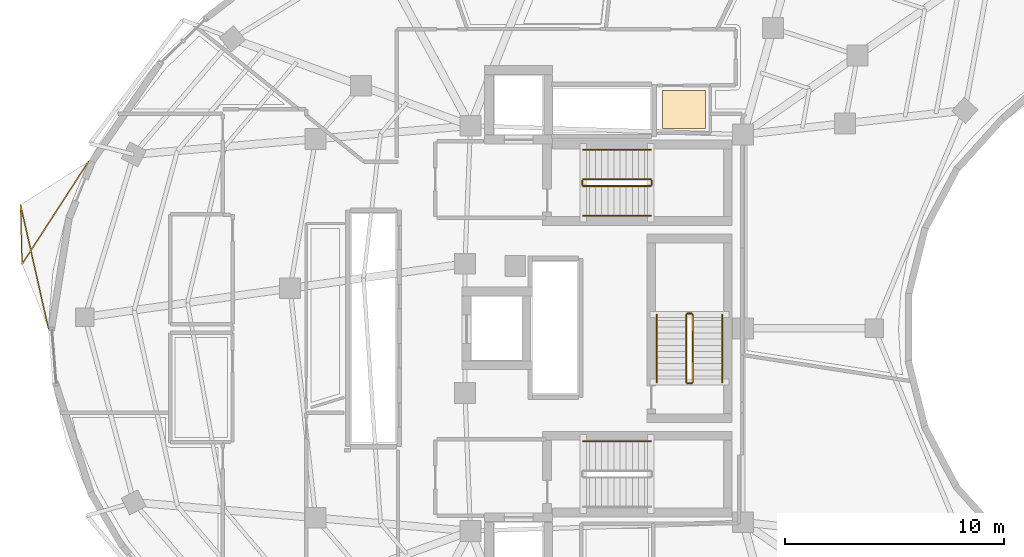
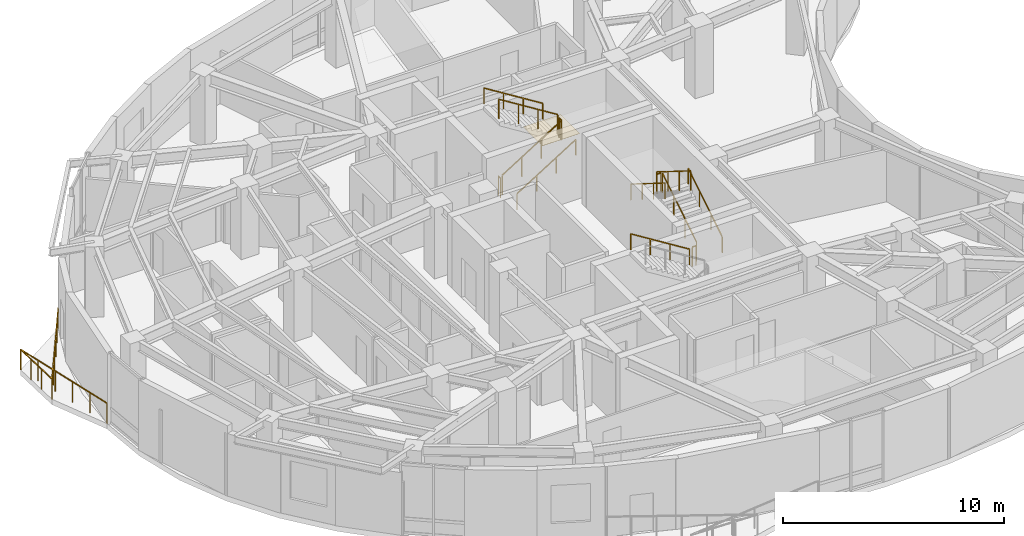
# One storey, part 13 of 14: 14 railings, 1 covering.
"""IFC4 building model written with IfcOpenShell, lengths in metres."""

from ifc_helpers import new_model, si_unit, direction, frame, origin, origin_2d, place, context, subcontext, project, spatial, polyline, rectangle, outline, extrude, material, layer, layer_set, type_object, element, save


model = new_model("IFC4")

# Units and contexts
model_context = context("Model", 3, precision=1e-05, world=origin(), true_north=direction((0.0, 1.0)))
body_context = subcontext(model_context, "Body", "Model", "MODEL_VIEW")
ifc_project = project(units=[si_unit("LENGTHUNIT", "METRE"), si_unit("AREAUNIT", "SQUARE_METRE"), si_unit("VOLUMEUNIT", "CUBIC_METRE"), si_unit("PLANEANGLEUNIT", "RADIAN"), si_unit("MASSUNIT", "GRAM", prefix="KILO")], contexts=[model_context])

# Site, building, storey
site_placement = place(None, origin())
site = spatial("IfcSite", under=ifc_project, at=site_placement, CompositionType="ELEMENT")
building_placement = place(site_placement, origin())
building = spatial("IfcBuilding", under=site, at=building_placement, Name="Korentha Bioscience Tower", CompositionType="ELEMENT")
storey_placement = place(building_placement, frame((0.0, 0.0, 247.800048828125)))
storey = spatial("IfcBuildingStorey", under=building, at=storey_placement, Name="L57", CompositionType="ELEMENT", Elevation=247.800048828125)

# Covering
ifc_material_1 = material(Name="Vitrified Porcelain Tile", Category="ceramic")
ifc_layer = layer(ifc_material_1, 0.014892578125, Name="Vitrified Porcelain Tile")
ifc_layer_set = layer_set([ifc_layer], Name="Vitrified Porcelain Tile (FL-CER)")
covering_type = type_object("IfcCoveringType", Name="Anti-Slip Ceramic Wet-Room Tile Flooring 15", PredefinedType="FLOORING", material=ifc_layer_set)
covering_placement = place(storey_placement, origin())
element("IfcCovering", 1, at=covering_placement, inside=storey, type_object=covering_type, Name="L57 Accessible Staff WC Floor Finish", PredefinedType="FLOORING", context=body_context, shape_type="SweptSolid", body=[
    extrude(outline(polyline([(33.8701171875, 36.1298828125), (33.8701171875, 37.8701171875), (35.830078125, 37.8701171875), (35.830078125, 36.1298828125), (33.8701171875, 36.1298828125)])), origin(), (0.0, 0.0, 1.0), 0.014892578125),
])

# Railings
ifc_material_2 = material(Name="Stainless Steel 304", Category="steel")
railing_type_1 = type_object("IfcRailingType", Name="Brushed Stainless Stair Handrail 900", PredefinedType="HANDRAIL", material=ifc_material_2)
railing_1_placement = place(storey_placement, frame((30.25, 32.14990234375, 0.175048828125)))
element("IfcRailing", 2, at=railing_1_placement, inside=storey, type_object=railing_type_1, Name="L57 ST-1 stair handrail 1", PredefinedType="HANDRAIL", context=body_context, shape_type="SweptSolid", body=[
    extrude(rectangle(XDim=0.048095703125, YDim=0.048095703125, at=origin_2d()), frame((0.0, 0.0, 0.8759765625), z_axis=(0.848028513186, 0.0, 0.529950602248), x_axis=(0.0, 1.0, 0.0)), (0.0, 0.0, 1.0), 3.632080078125),
    extrude(rectangle(XDim=0.0419921875, YDim=0.0419921875, at=origin_2d()), origin(), (0.0, 0.0, 1.0), 0.851806640625),
    extrude(rectangle(XDim=0.0419921875, YDim=0.0419921875, at=origin_2d()), frame((1.026611328125, 0.0, 0.6416015625)), (0.0, 0.0, 1.0), 0.851806640625),
    extrude(rectangle(XDim=0.0419921875, YDim=0.0419921875, at=origin_2d()), frame((2.053466796875, 0.0, 1.283203125)), (0.0, 0.0, 1.0), 0.851806640625),
    extrude(rectangle(XDim=0.0419921875, YDim=0.0419921875, at=origin_2d()), frame((3.080078125, 0.0, 1.9248046875)), (0.0, 0.0, 1.0), 0.851806640625),
])
for number, where, name in (
    (3, (33.330078125, 35.14990234375, 2.27490234375), "L57 ST-1 stair handrail 2"),
    (4, (33.330078125, 21.85009765625, 2.27490234375), "L57 ST-2 stair handrail 2"),
):
    element("IfcRailing", number, at=place(storey_placement, frame(where)), inside=storey, type_object=railing_type_1, Name=name, PredefinedType="HANDRAIL", context=body_context, shape_type="SweptSolid", body=[
        extrude(rectangle(XDim=0.048095703125, YDim=0.048095703125, at=origin_2d()), frame((0.0, 0.0, 0.8759765625), z_axis=(-0.847998304005, 0.0, 0.529998940003), x_axis=(0.0, -1.0, 0.0)), (0.0, 0.0, 1.0), 3.632080078125),
        extrude(rectangle(XDim=0.0419921875, YDim=0.0419921875, at=origin_2d()), origin(), (0.0, 0.0, 1.0), 0.851806640625),
        extrude(rectangle(XDim=0.0419921875, YDim=0.0419921875, at=origin_2d()), frame((-1.026611328125, 0.0, 0.6416015625)), (0.0, 0.0, 1.0), 0.851806640625),
        extrude(rectangle(XDim=0.0419921875, YDim=0.0419921875, at=origin_2d()), frame((-2.053466796875, 0.0, 1.283447265625)), (0.0, 0.0, 1.0), 0.851806640625),
        extrude(rectangle(XDim=0.0419921875, YDim=0.0419921875, at=origin_2d()), frame((-3.080078125, 0.0, 1.925048828125)), (0.0, 0.0, 1.0), 0.851806640625),
    ])
railing_2_placement = place(storey_placement, frame((36.60009765625, 24.550048828125, 0.175048828125)))
element("IfcRailing", 5, at=railing_2_placement, inside=storey, type_object=railing_type_1, Name="L57 ST-3 stair handrail 1", PredefinedType="HANDRAIL", context=body_context, shape_type="SweptSolid", body=[
    extrude(rectangle(XDim=0.048095703125, YDim=0.048095703125, at=origin_2d()), frame((0.0, 0.0, 0.8759765625), z_axis=(0.0, 0.848009633417, 0.529980812513), x_axis=(-1.0, 0.0, 0.0)), (0.0, 0.0, 1.0), 3.6318359375),
    extrude(rectangle(XDim=0.0419921875, YDim=0.0419921875, at=origin_2d()), origin(), (0.0, 0.0, 1.0), 0.851806640625),
    extrude(rectangle(XDim=0.0419921875, YDim=0.0419921875, at=origin_2d()), frame((0.0, 1.026611328125, 0.6416015625)), (0.0, 0.0, 1.0), 0.851806640625),
    extrude(rectangle(XDim=0.0419921875, YDim=0.0419921875, at=origin_2d()), frame((0.0, 2.05322265625, 1.283203125)), (0.0, 0.0, 1.0), 0.851806640625),
    extrude(rectangle(XDim=0.0419921875, YDim=0.0419921875, at=origin_2d()), frame((0.0, 3.079833984375, 1.9248046875)), (0.0, 0.0, 1.0), 0.851806640625),
])
railing_3_placement = place(storey_placement, frame((33.60009765625, 27.6298828125, 2.27490234375)))
element("IfcRailing", 6, at=railing_3_placement, inside=storey, type_object=railing_type_1, Name="L57 ST-3 stair handrail 2", PredefinedType="HANDRAIL", context=body_context, shape_type="SweptSolid", body=[
    extrude(rectangle(XDim=0.048095703125, YDim=0.048095703125, at=origin_2d()), frame((0.0, 0.0, 0.8759765625), z_axis=(0.0, -0.847979421464, 0.530029150871), x_axis=(1.0, 0.0, 0.0)), (0.0, 0.0, 1.0), 3.632080078125),
    extrude(rectangle(XDim=0.0419921875, YDim=0.0419921875, at=origin_2d()), origin(), (0.0, 0.0, 1.0), 0.851806640625),
    extrude(rectangle(XDim=0.0419921875, YDim=0.0419921875, at=origin_2d()), frame((0.0, -1.026611328125, 0.6416015625)), (0.0, 0.0, 1.0), 0.851806640625),
    extrude(rectangle(XDim=0.0419921875, YDim=0.0419921875, at=origin_2d()), frame((0.0, -2.05322265625, 1.283447265625)), (0.0, 0.0, 1.0), 0.851806640625),
    extrude(rectangle(XDim=0.0419921875, YDim=0.0419921875, at=origin_2d()), frame((0.0, -3.079833984375, 1.925048828125)), (0.0, 0.0, 1.0), 0.851806640625),
])
ifc_material_3 = material(Name="Laminated Tempered Safety Glass", Category="glass")
railing_type_2 = type_object("IfcRailingType", Name="Laminated Glass Balcony Guardrail 1150", PredefinedType="BALUSTRADE", material=ifc_material_3)
railing_4_placement = place(storey_placement, frame((7.66455078125, 34.62109375, 0.0)))
element("IfcRailing", 7, at=railing_4_placement, inside=storey, type_object=railing_type_2, Name="L57 Balcony Guardrail 02", PredefinedType="BALUSTRADE", context=body_context, shape_type="SweptSolid", body=[
    extrude(rectangle(XDim=0.048095703125, YDim=0.048095703125, at=origin_2d()), frame((0.0, 0.0, 1.1259765625), z_axis=(-0.543225919162, -0.83958656537, 0.0), x_axis=(0.83958656537, -0.543225919162, 0.0)), (0.0, 0.0, 1.0), 5.588623046875),
    extrude(rectangle(XDim=0.048095703125, YDim=0.048095703125, at=origin_2d()), frame((-3.035888671875, -4.692138671875, 1.1259765625), z_axis=(-0.024799129731, 0.99969245429, 0.0), x_axis=(-0.99969245429, -0.024799129731, 0.0)), (0.0, 0.0, 1.0), 2.717041015625),
    extrude(rectangle(XDim=0.048095703125, YDim=0.048095703125, at=origin_2d()), frame((-3.103271484375, -1.975830078125, 1.1259765625), z_axis=(0.219766179251, -0.975552574932, 0.0), x_axis=(0.975552574932, 0.219766179251, 0.0)), (0.0, 0.0, 1.0), 5.78662109375),
    extrude(rectangle(XDim=0.0419921875, YDim=0.0419921875, at=origin_2d()), origin(), (0.0, 0.0, 1.0), 1.101806640625),
    extrude(rectangle(XDim=0.0419921875, YDim=0.0419921875, at=origin_2d()), frame((-0.607177734375, -0.9384765625, 0.0)), (0.0, 0.0, 1.0), 1.101806640625),
    extrude(rectangle(XDim=0.0419921875, YDim=0.0419921875, at=origin_2d()), frame((-1.21435546875, -1.876953125, 0.0)), (0.0, 0.0, 1.0), 1.101806640625),
    extrude(rectangle(XDim=0.0419921875, YDim=0.0419921875, at=origin_2d()), frame((-1.821533203125, -2.815185546875, 0.0)), (0.0, 0.0, 1.0), 1.101806640625),
    extrude(rectangle(XDim=0.0419921875, YDim=0.0419921875, at=origin_2d()), frame((-2.4287109375, -3.753662109375, 0.0)), (0.0, 0.0, 1.0), 1.101806640625),
    extrude(rectangle(XDim=0.0419921875, YDim=0.0419921875, at=origin_2d()), frame((-3.035888671875, -4.692138671875, 0.0)), (0.0, 0.0, 1.0), 1.101806640625),
    extrude(rectangle(XDim=0.0419921875, YDim=0.0419921875, at=origin_2d()), frame((-3.058349609375, -3.78662109375, 0.0)), (0.0, 0.0, 1.0), 1.101806640625),
    extrude(rectangle(XDim=0.0419921875, YDim=0.0419921875, at=origin_2d()), frame((-3.080810546875, -2.88134765625, 0.0)), (0.0, 0.0, 1.0), 1.101806640625),
    extrude(rectangle(XDim=0.0419921875, YDim=0.0419921875, at=origin_2d()), frame((-3.103271484375, -1.975830078125, 0.0)), (0.0, 0.0, 1.0), 1.101806640625),
    extrude(rectangle(XDim=0.0419921875, YDim=0.0419921875, at=origin_2d()), frame((-2.848876953125, -3.10498046875, 0.0)), (0.0, 0.0, 1.0), 1.101806640625),
    extrude(rectangle(XDim=0.0419921875, YDim=0.0419921875, at=origin_2d()), frame((-2.594482421875, -4.23388671875, 0.0)), (0.0, 0.0, 1.0), 1.101806640625),
    extrude(rectangle(XDim=0.0419921875, YDim=0.0419921875, at=origin_2d()), frame((-2.34033203125, -5.363037109375, 0.0)), (0.0, 0.0, 1.0), 1.101806640625),
    extrude(rectangle(XDim=0.0419921875, YDim=0.0419921875, at=origin_2d()), frame((-2.0859375, -6.491943359375, 0.0)), (0.0, 0.0, 1.0), 1.101806640625),
    extrude(rectangle(XDim=0.0419921875, YDim=0.0419921875, at=origin_2d()), frame((-1.83154296875, -7.62109375, 0.0)), (0.0, 0.0, 1.0), 1.101806640625),
])
ifc_material_4 = material(Name="Painted Steel S275", Category="steel")
railing_type_3 = type_object("IfcRailingType", Name="Painted Steel Stair Well Guardrail 1100", PredefinedType="GUARDRAIL", material=ifc_material_4)
railing_5_placement = place(storey_placement, frame((30.25, 33.5, 0.175048828125)))
element("IfcRailing", 8, at=railing_5_placement, inside=storey, type_object=railing_type_3, Name="L57 ST-1 stair guard 1", PredefinedType="GUARDRAIL", context=body_context, shape_type="SweptSolid", body=[
    extrude(rectangle(XDim=0.048095703125, YDim=0.048095703125, at=origin_2d()), frame((0.0, 0.0, 1.076171875), z_axis=(0.848028513186, 0.0, 0.529950602248), x_axis=(0.0, 1.0, 0.0)), (0.0, 0.0, 1.0), 3.632080078125),
    extrude(rectangle(XDim=0.0419921875, YDim=0.0419921875, at=origin_2d()), origin(), (0.0, 0.0, 1.0), 1.052001953125),
    extrude(rectangle(XDim=0.0419921875, YDim=0.0419921875, at=origin_2d()), frame((1.026611328125, 0.0, 0.6416015625)), (0.0, 0.0, 1.0), 1.052001953125),
    extrude(rectangle(XDim=0.0419921875, YDim=0.0419921875, at=origin_2d()), frame((2.053466796875, 0.0, 1.283203125)), (0.0, 0.0, 1.0), 1.052001953125),
    extrude(rectangle(XDim=0.0419921875, YDim=0.0419921875, at=origin_2d()), frame((3.080078125, 0.0, 1.9248046875)), (0.0, 0.0, 1.0), 1.052001953125),
])
railing_6_placement = place(storey_placement, frame((33.3798828125, 33.550048828125, 2.099853515625)))
element("IfcRailing", 9, at=railing_6_placement, inside=storey, type_object=railing_type_3, Name="L57 ST-1 stair guard 2", PredefinedType="GUARDRAIL", context=body_context, shape_type="SweptSolid", body=[
    extrude(rectangle(XDim=0.048095703125, YDim=0.048095703125, at=origin_2d()), frame((0.0, 0.0, 1.076171875), z_axis=(0.0, 1.0, 0.0), x_axis=(-1.0, 0.0, 0.0)), (0.0, 0.0, 1.0), 0.199951171875),
    extrude(rectangle(XDim=0.0419921875, YDim=0.0419921875, at=origin_2d()), origin(), (0.0, 0.0, 1.0), 1.052001953125),
    extrude(rectangle(XDim=0.0419921875, YDim=0.0419921875, at=origin_2d()), frame((0.0, 0.199951171875, 0.0)), (0.0, 0.0, 1.0), 1.052001953125),
])
railing_7_placement = place(storey_placement, frame((33.330078125, 33.800048828125, 2.27490234375)))
element("IfcRailing", 10, at=railing_7_placement, inside=storey, type_object=railing_type_3, Name="L57 ST-1 stair guard 3", PredefinedType="GUARDRAIL", context=body_context, shape_type="SweptSolid", body=[
    extrude(rectangle(XDim=0.048095703125, YDim=0.048095703125, at=origin_2d()), frame((0.0, 0.0, 1.076171875), z_axis=(-0.847998304005, 0.0, 0.529998940003), x_axis=(0.0, -1.0, 0.0)), (0.0, 0.0, 1.0), 3.632080078125),
    extrude(rectangle(XDim=0.0419921875, YDim=0.0419921875, at=origin_2d()), origin(), (0.0, 0.0, 1.0), 1.052001953125),
    extrude(rectangle(XDim=0.0419921875, YDim=0.0419921875, at=origin_2d()), frame((-1.026611328125, 0.0, 0.6416015625)), (0.0, 0.0, 1.0), 1.052001953125),
    extrude(rectangle(XDim=0.0419921875, YDim=0.0419921875, at=origin_2d()), frame((-2.053466796875, 0.0, 1.283447265625)), (0.0, 0.0, 1.0), 1.052001953125),
    extrude(rectangle(XDim=0.0419921875, YDim=0.0419921875, at=origin_2d()), frame((-3.080078125, 0.0, 1.925048828125)), (0.0, 0.0, 1.0), 1.052001953125),
])
railing_8_placement = place(storey_placement, frame((30.199951171875, 33.550048828125, 0.0)))
element("IfcRailing", 11, at=railing_8_placement, inside=storey, type_object=railing_type_3, Name="L57 ST-1 stair guard 4", PredefinedType="GUARDRAIL", context=body_context, shape_type="SweptSolid", body=[
    extrude(rectangle(XDim=0.048095703125, YDim=0.048095703125, at=origin_2d()), frame((0.0, 0.0, 1.076171875), z_axis=(0.0, 1.0, 0.0), x_axis=(-1.0, 0.0, 0.0)), (0.0, 0.0, 1.0), 0.199951171875),
    extrude(rectangle(XDim=0.0419921875, YDim=0.0419921875, at=origin_2d()), origin(), (0.0, 0.0, 1.0), 1.052001953125),
    extrude(rectangle(XDim=0.0419921875, YDim=0.0419921875, at=origin_2d()), frame((0.0, 0.199951171875, 0.0)), (0.0, 0.0, 1.0), 1.052001953125),
])
railing_9_placement = place(storey_placement, frame((35.25, 24.550048828125, 0.175048828125)))
element("IfcRailing", 12, at=railing_9_placement, inside=storey, type_object=railing_type_3, Name="L57 ST-3 stair guard 1", PredefinedType="GUARDRAIL", context=body_context, shape_type="SweptSolid", body=[
    extrude(rectangle(XDim=0.048095703125, YDim=0.048095703125, at=origin_2d()), frame((0.0, 0.0, 1.076171875), z_axis=(0.0, 0.848009633417, 0.529980812513), x_axis=(-1.0, 0.0, 0.0)), (0.0, 0.0, 1.0), 3.6318359375),
    extrude(rectangle(XDim=0.0419921875, YDim=0.0419921875, at=origin_2d()), origin(), (0.0, 0.0, 1.0), 1.052001953125),
    extrude(rectangle(XDim=0.0419921875, YDim=0.0419921875, at=origin_2d()), frame((0.0, 1.026611328125, 0.6416015625)), (0.0, 0.0, 1.0), 1.052001953125),
    extrude(rectangle(XDim=0.0419921875, YDim=0.0419921875, at=origin_2d()), frame((0.0, 2.05322265625, 1.283203125)), (0.0, 0.0, 1.0), 1.052001953125),
    extrude(rectangle(XDim=0.0419921875, YDim=0.0419921875, at=origin_2d()), frame((0.0, 3.079833984375, 1.9248046875)), (0.0, 0.0, 1.0), 1.052001953125),
])
railing_10_placement = place(storey_placement, frame((35.199951171875, 27.679931640625, 2.099853515625)))
element("IfcRailing", 13, at=railing_10_placement, inside=storey, type_object=railing_type_3, Name="L57 ST-3 stair guard 2", PredefinedType="GUARDRAIL", context=body_context, shape_type="SweptSolid", body=[
    extrude(rectangle(XDim=0.048095703125, YDim=0.048095703125, at=origin_2d()), frame((0.0, 0.0, 1.076171875), z_axis=(-1.0, 0.0, 0.0), x_axis=(0.0, -1.0, 0.0)), (0.0, 0.0, 1.0), 0.199951171875),
    extrude(rectangle(XDim=0.0419921875, YDim=0.0419921875, at=origin_2d()), origin(), (0.0, 0.0, 1.0), 1.052001953125),
    extrude(rectangle(XDim=0.0419921875, YDim=0.0419921875, at=origin_2d()), frame((-0.199951171875, 0.0, 0.0)), (0.0, 0.0, 1.0), 1.052001953125),
])
railing_11_placement = place(storey_placement, frame((34.949951171875, 27.6298828125, 2.27490234375)))
element("IfcRailing", 14, at=railing_11_placement, inside=storey, type_object=railing_type_3, Name="L57 ST-3 stair guard 3", PredefinedType="GUARDRAIL", context=body_context, shape_type="SweptSolid", body=[
    extrude(rectangle(XDim=0.048095703125, YDim=0.048095703125, at=origin_2d()), frame((0.0, 0.0, 1.076171875), z_axis=(0.0, -0.847979421464, 0.530029150871), x_axis=(1.0, 0.0, 0.0)), (0.0, 0.0, 1.0), 3.632080078125),
    extrude(rectangle(XDim=0.0419921875, YDim=0.0419921875, at=origin_2d()), origin(), (0.0, 0.0, 1.0), 1.052001953125),
    extrude(rectangle(XDim=0.0419921875, YDim=0.0419921875, at=origin_2d()), frame((0.0, -1.026611328125, 0.6416015625)), (0.0, 0.0, 1.0), 1.052001953125),
    extrude(rectangle(XDim=0.0419921875, YDim=0.0419921875, at=origin_2d()), frame((0.0, -2.05322265625, 1.283447265625)), (0.0, 0.0, 1.0), 1.052001953125),
    extrude(rectangle(XDim=0.0419921875, YDim=0.0419921875, at=origin_2d()), frame((0.0, -3.079833984375, 1.925048828125)), (0.0, 0.0, 1.0), 1.052001953125),
])
railing_12_placement = place(storey_placement, frame((35.199951171875, 24.5, 0.0)))
element("IfcRailing", 15, at=railing_12_placement, inside=storey, type_object=railing_type_3, Name="L57 ST-3 stair guard 4", PredefinedType="GUARDRAIL", context=body_context, shape_type="SweptSolid", body=[
    extrude(rectangle(XDim=0.048095703125, YDim=0.048095703125, at=origin_2d()), frame((0.0, 0.0, 1.076171875), z_axis=(-1.0, 0.0, 0.0), x_axis=(0.0, -1.0, 0.0)), (0.0, 0.0, 1.0), 0.199951171875),
    extrude(rectangle(XDim=0.0419921875, YDim=0.0419921875, at=origin_2d()), origin(), (0.0, 0.0, 1.0), 1.052001953125),
    extrude(rectangle(XDim=0.0419921875, YDim=0.0419921875, at=origin_2d()), frame((-0.199951171875, 0.0, 0.0)), (0.0, 0.0, 1.0), 1.052001953125),
])

save(model, "model.ifc")
